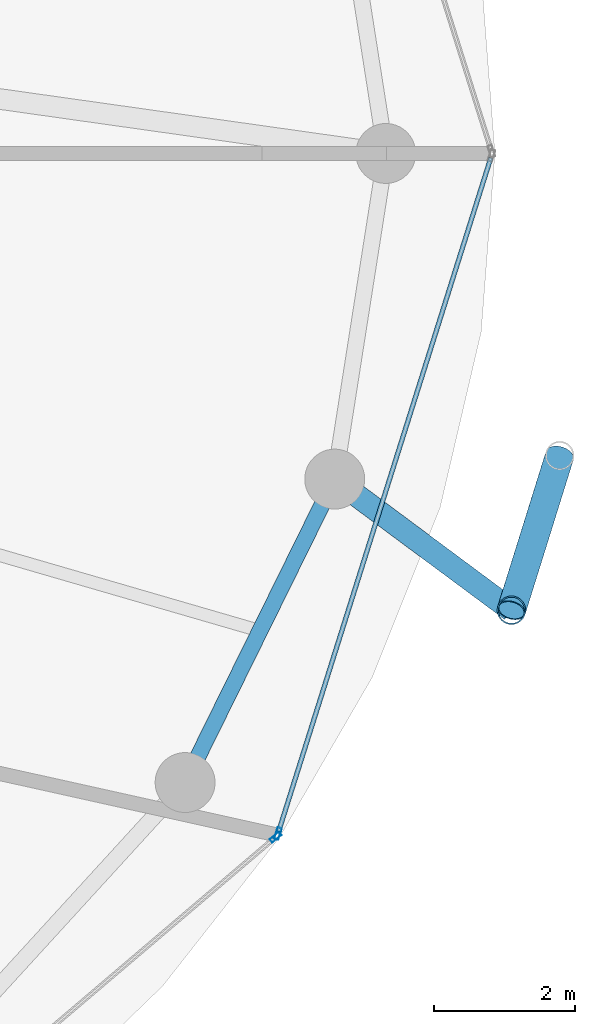
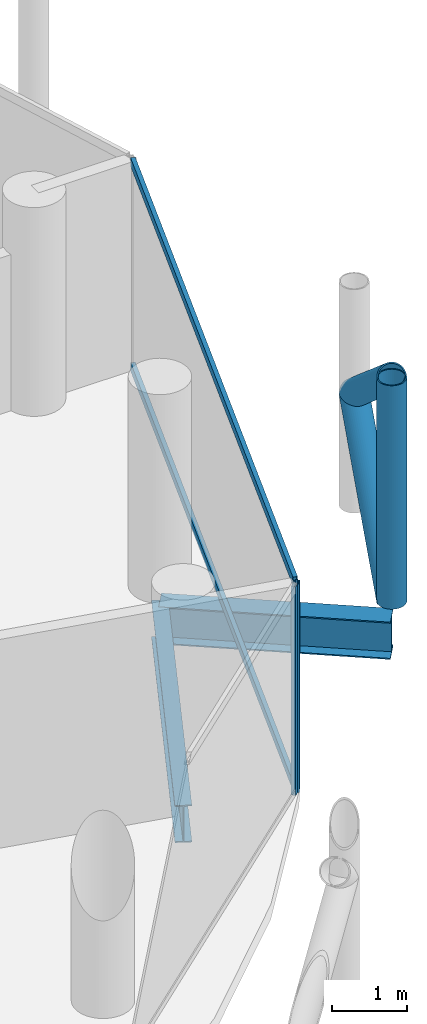
# One storey, part 13 of 27: 7 members, 2 beams, 2 elements without a shape of their own.
"""IFC4 building model written with IfcOpenShell, lengths in metres."""

from ifc_helpers import new_model, si_unit, direction, frame, origin, origin_2d, place, context, subcontext, project, spatial, hollow_rectangle, hollow_circle, i_section, extrude, material, layer, layer_set, material_profile, profile_set, type_object, element, aggregate, save


model = new_model("IFC4")

# Units and contexts
model_context = context("Model", 3, precision=1e-05, world=origin(), true_north=direction((0.0, 1.0)))
body_context = subcontext(model_context, "Body", "Model", "MODEL_VIEW")
ifc_project = project(units=[si_unit("LENGTHUNIT", "METRE"), si_unit("AREAUNIT", "SQUARE_METRE"), si_unit("VOLUMEUNIT", "CUBIC_METRE"), si_unit("PLANEANGLEUNIT", "RADIAN"), si_unit("MASSUNIT", "GRAM", prefix="KILO")], contexts=[model_context])

# Site, building, storey
site_placement = place(None, origin())
site = spatial("IfcSite", under=ifc_project, at=site_placement, CompositionType="ELEMENT")
building_placement = place(site_placement, origin())
building = spatial("IfcBuilding", under=site, at=building_placement, Name="Nuhasar Tower", CompositionType="ELEMENT")
storey_placement = place(building_placement, frame((0.0, 0.0, 230.050048828125)))
storey = spatial("IfcBuildingStorey", under=building, at=storey_placement, Name="L56", CompositionType="ELEMENT", Elevation=230.050048828125)

# Beams
ifc_material_1 = material(Name="Steel S355", Category="steel")
ifc_material_profile_1 = material_profile(ifc_material_1, i_section(OverallWidth=0.22802734375, OverallDepth=0.60791015625, WebThickness=0.01123046875, FlangeThickness=0.017333984375, at=origin_2d()), Name="W24X76")
ifc_profile_set_1 = profile_set([ifc_material_profile_1], Name="Steel S355")
beam_type_1 = type_object("IfcBeamType", Name="BM-RING-W24X76", PredefinedType="SPANDREL", material=ifc_profile_set_1)
beam_1_placement = place(storey_placement, frame((57.403076171875, 17.875, -0.5439453125), z_axis=(0.442262779282, 0.896885518928, 0.0), x_axis=(-0.896885518928, 0.442262779282, 0.0)))
element("IfcBeam", 1, at=beam_1_placement, inside=storey, type_object=beam_type_1, Name="L56 Perimeter Ring Spandrel 23", PredefinedType="SPANDREL", context=body_context, shape_type="SweptSolid", body=[
    extrude(i_section(OverallWidth=0.22802734375, OverallDepth=0.60791015625, WebThickness=0.01123046875, FlangeThickness=0.017333984375, at=origin_2d()), origin(), (0.0, 0.0, 1.0), 4.7998046875),
])
ifc_material_profile_2 = material_profile(ifc_material_1, i_section(OverallWidth=0.323974609375, OverallDepth=0.611083984375, WebThickness=0.0126953125, FlangeThickness=0.01904296875, at=origin_2d()), Name="W24X104")
ifc_profile_set_2 = profile_set([ifc_material_profile_2], Name="Steel S355")
beam_type_2 = type_object("IfcBeamType", Name="BM-TIE-W24X104", PredefinedType="BEAM", material=ifc_profile_set_2)
beam_2_placement = place(storey_placement, frame((59.52587890625, 22.179931640625, -0.545166015625), z_axis=(0.802983345014, -0.596001466131, 0.0), x_axis=(0.596001466131, 0.802983345014, 0.0)))
element("IfcBeam", 2, at=beam_2_placement, inside=storey, type_object=beam_type_2, Name="L56 Exoskeleton Node Tie Beam 12", PredefinedType="BEAM", context=body_context, shape_type="SweptSolid", body=[
    extrude(i_section(OverallWidth=0.323974609375, OverallDepth=0.611083984375, WebThickness=0.0126953125, FlangeThickness=0.01904296875, at=origin_2d()), origin(), (0.0, 0.0, 1.0), 3.122314453125),
])

# Curtain wall, member
ifc_material_2 = material(Name="Aluminium 6063-T6", Category="aluminium")
ifc_layer = layer(ifc_material_2, 0.18994140625)
ifc_layer_set = layer_set([ifc_layer], Name="Aluminium 6063-T6")
curtain_wall_type = type_object("IfcCurtainWallType", Name="CW-Z3-RES", PredefinedType="NOTDEFINED", material=ifc_layer_set)
curtain_wall_1_placement = place(storey_placement, origin())
curtain_wall_1 = element("IfcCurtainWall", 3, at=curtain_wall_1_placement, inside=storey, type_object=curtain_wall_type, Name="L56 Unitised Curtain Wall 11", PredefinedType="NOTDEFINED")
ifc_material_profile_3 = material_profile(ifc_material_2, hollow_rectangle(XDim=0.06494140625, YDim=0.169921875, WallThickness=0.0048828125, at=origin_2d()), Name="CWM-4")
ifc_profile_set_3 = profile_set([ifc_material_profile_3], Name="Aluminium 6063-T6")
member_type_1 = type_object("IfcMemberType", Name="CW-MUL-S4", PredefinedType="MULLION", material=ifc_profile_set_3)
member_1_placement = place(storey_placement, frame((58.686279296875, 17.098876953125, 0.0), z_axis=(0.0, 0.0, 1.0), x_axis=(-0.64789521578, 0.761729472562, 0.0)))
member_1 = element("IfcMember", 4, at=member_1_placement, type_object=member_type_1, Name="CW-Z3 mullion 2", PredefinedType="MULLION", context=body_context, shape_type="SweptSolid", body=[
    extrude(hollow_rectangle(XDim=0.06494140625, YDim=0.169921875, WallThickness=0.0048828125, at=origin_2d()), origin(), (0.0, 0.0, 1.0), 3.409912109375),
])
aggregate(curtain_wall_1, [member_1])

# Curtain wall, members
curtain_wall_2_placement = place(storey_placement, origin())
curtain_wall_2 = element("IfcCurtainWall", 5, at=curtain_wall_2_placement, inside=storey, type_object=curtain_wall_type, Name="L56 Unitised Curtain Wall 12", PredefinedType="NOTDEFINED")
member_2_placement = place(storey_placement, frame((58.720703125, 17.15087890625, 0.0), z_axis=(0.0, 0.0, 1.0), x_axis=(-0.95380429279, 0.30042864553, 0.0)))
member_2 = element("IfcMember", 6, at=member_2_placement, type_object=member_type_1, Name="CW-Z3 mullion 1", PredefinedType="MULLION", context=body_context, shape_type="SweptSolid", body=[
    extrude(hollow_rectangle(XDim=0.06494140625, YDim=0.169921875, WallThickness=0.0048828125, at=origin_2d()), origin(), (0.0, 0.0, 1.0), 3.409912109375),
])
ifc_material_profile_4 = material_profile(ifc_material_2, hollow_rectangle(XDim=0.06494140625, YDim=0.139892578125, WallThickness=0.00439453125, at=origin_2d()), Name="CWT-4")
ifc_profile_set_4 = profile_set([ifc_material_profile_4], Name="Aluminium 6063-T6")
member_type_2 = type_object("IfcMemberType", Name="CW-TRN-S4", PredefinedType="USERDEFINED", material=ifc_profile_set_4)
member_3_placement = place(storey_placement, frame((58.73046875, 17.181884765625, 0.032470703125), z_axis=(0.300430390604, 0.953803743126, 0.0), x_axis=(-0.953803743126, 0.300430390604, 0.0)))
member_3 = element("IfcMember", 7, at=member_3_placement, type_object=member_type_2, Name="CW-Z3 transom 1.1", ObjectType="TRANSOM", PredefinedType="USERDEFINED", context=body_context, shape_type="SweptSolid", body=[
    extrude(hollow_rectangle(XDim=0.06494140625, YDim=0.139892578125, WallThickness=0.00439453125, at=origin_2d()), origin(), (0.0, 0.0, 1.0), 10.01904296875),
])
member_4_placement = place(storey_placement, frame((58.73046875, 17.181884765625, 3.37744140625), z_axis=(0.300430390604, 0.953803743126, 0.0), x_axis=(-0.953803743126, 0.300430390604, 0.0)))
member_4 = element("IfcMember", 8, at=member_4_placement, type_object=member_type_2, Name="CW-Z3 transom 1.2", ObjectType="TRANSOM", PredefinedType="USERDEFINED", context=body_context, shape_type="SweptSolid", body=[
    extrude(hollow_rectangle(XDim=0.06494140625, YDim=0.139892578125, WallThickness=0.00439453125, at=origin_2d()), origin(), (0.0, 0.0, 1.0), 10.01904296875),
])
aggregate(curtain_wall_2, [member_2, member_3, member_4])

# Members
ifc_material_3 = material(Name="Steel S460", Category="steel")
ifc_material_profile_5 = material_profile(ifc_material_3, hollow_circle(Radius=0.203125, WallThickness=0.01904296875, at=origin_2d()), Name="HSS406.4X19.1")
ifc_profile_set_5 = profile_set([ifc_material_profile_5], Name="Steel S460")
member_type_3 = type_object("IfcMemberType", Name="EXO-BRONZE-406", PredefinedType="BRACE", material=ifc_profile_set_5)
member_5_placement = place(storey_placement, frame((62.032958984375, 20.319091796875, 0.0), z_axis=(0.0, 0.0, 1.0), x_axis=(1.0, 0.0, 0.0)))
element("IfcMember", 9, at=member_5_placement, inside=storey, type_object=member_type_3, Name="L56 Exoskeleton Chord Column EC-12A", PredefinedType="BRACE", context=body_context, shape_type="SweptSolid", body=[
    extrude(hollow_circle(Radius=0.203125, WallThickness=0.01904296875, at=origin_2d()), origin(), (0.0, 0.0, 1.0), 3.64990234375),
])
for number, where, z_axis, x_axis, name in (
    (10, (62.032958984375, 20.319091796875, 0.0), (0.233372423355, 0.747689980743, 0.621688832709), (-0.954581948223, 0.297948492404, 0.0), "L56 Bronze Diagrid Brace W1-12"),
    (11, (62.718017578125, 22.513916015625, 1.824951171875), (-0.233372423355, -0.747689980743, 0.621688832709), (0.954581948223, -0.297948492404, 0.0), "L56 Bronze Diagrid Brace W2-12"),
):
    element("IfcMember", number, at=place(storey_placement, frame(where, z_axis=z_axis, x_axis=x_axis)), inside=storey, type_object=member_type_3, Name=name, PredefinedType="BRACE", context=body_context, shape_type="SweptSolid", body=[
        extrude(hollow_circle(Radius=0.203125, WallThickness=0.01904296875, at=origin_2d()), origin(), (0.0, 0.0, 1.0), 2.935546875),
    ])

save(model, "model.ifc")
